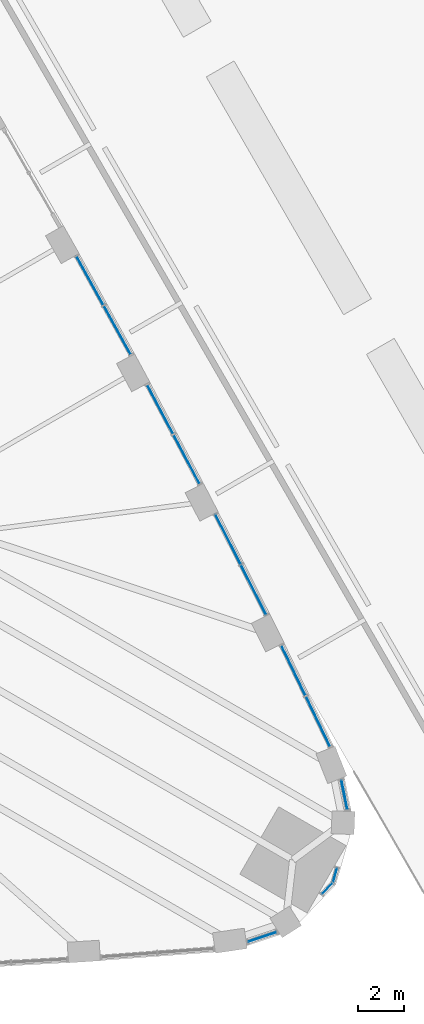
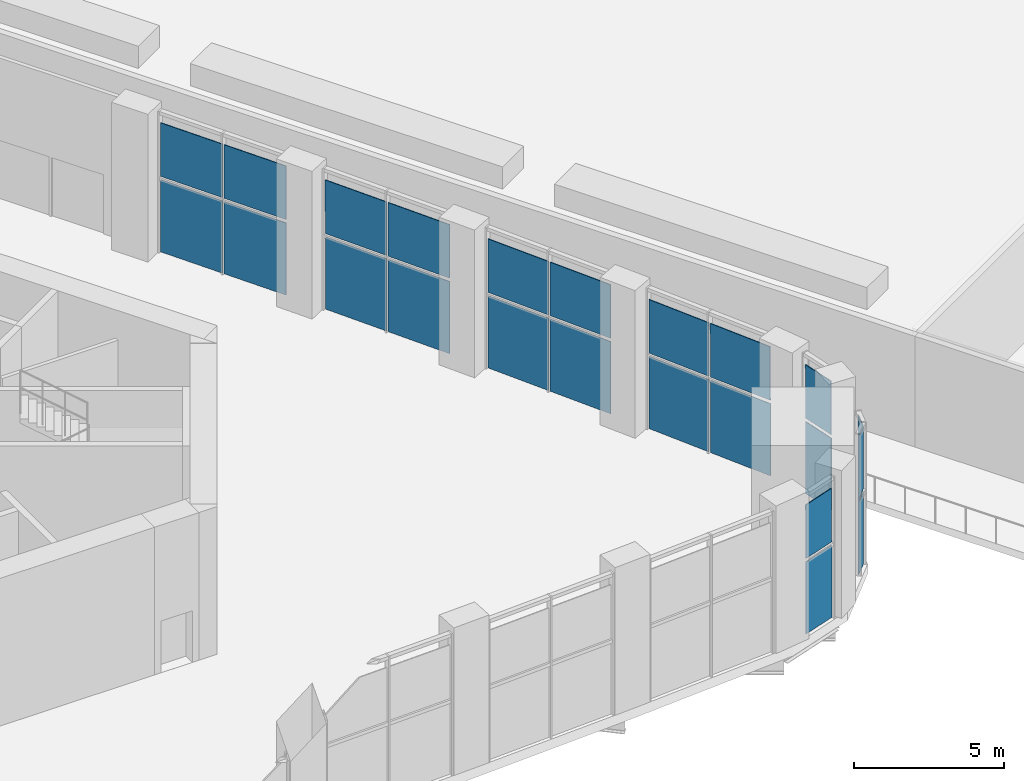
# One storey, part 19 of 41: 24 plates, 2 elements without a shape of their own.
"""IFC4 building model written with IfcOpenShell, lengths in metres."""

import ifcopenshell
import ifcopenshell.guid

model = None  # the IFC model being written
_history = None  # IfcOwnerHistory: only IFC2X3 demands one
_inside = {}  # id of a spatial element -> (the spatial element, [elements in it])
_under = {}  # id of a project, library or spatial element -> (it, [spatial elements below it])
_declared = {}  # id of a project -> (the project, [libraries it declares])
_typed = {}  # id of a type object -> (the type object, [elements of that type])
_made_of = {}  # id of a material, layer set ... -> (it, [elements and type objects made of it])


def new_model(schema):
    """Start an empty IFC model of exactly this schema.

    Asked for "IFC4X3", IfcOpenShell would pick the latest addendum, in which some entities
    have other attributes; the version numbers below select the first issue.
    IFC2X3 requires an IfcOwnerHistory on every rooted entity: one is made here for all.
    """
    global model, _history
    if schema == "IFC4X3":
        model = ifcopenshell.file(schema_version=(4, 3, 0, 0))
    else:
        model = ifcopenshell.file(schema=schema)
    _inside.clear()
    _under.clear()
    _declared.clear()
    _typed.clear()
    _made_of.clear()
    _history = None
    if model.schema == "IFC2X3":
        org = make("IfcOrganization", Name="unknown")
        user = make(
            "IfcPersonAndOrganization",
            ThePerson=make("IfcPerson", FamilyName="unknown"),
            TheOrganization=org,
        )
        app = make(
            "IfcApplication",
            ApplicationDeveloper=org,
            Version="unknown",
            ApplicationFullName="unknown",
            ApplicationIdentifier="unknown",
        )
        _history = make(
            "IfcOwnerHistory",
            OwningUser=user,
            OwningApplication=app,
            ChangeAction="ADDED",
            CreationDate=0,
        )
    return model


def make(cls, **values):
    """One entity of the class cls with the attributes given. An attribute that is None is left unset."""
    return model.create_entity(
        cls, **{name: value for name, value in values.items() if value is not None}
    )


def rooted(cls, **values):
    """An entity with a GlobalId (a new one), such as an element, a storey or a relation."""
    return make(cls, GlobalId=ifcopenshell.guid.new(), OwnerHistory=_history, **values)


def si_unit(unit_type, name, prefix=None):
    """IfcSIUnit, for example si_unit("LENGTHUNIT", "METRE", prefix="MILLI")."""
    return make("IfcSIUnit", UnitType=unit_type, Prefix=prefix, Name=name)


def assignment(units):
    """IfcUnitAssignment: the units of a project."""
    return None if units is None else make("IfcUnitAssignment", Units=units)


def point(xyz):
    """IfcCartesianPoint."""
    return None if xyz is None else make("IfcCartesianPoint", Coordinates=xyz)


def direction(xyz):
    """IfcDirection."""
    return None if xyz is None else make("IfcDirection", DirectionRatios=xyz)


def frame(location, z_axis=None, x_axis=None):
    """IfcAxis2Placement3D, a coordinate frame: its origin and axes. An axis left out is left unset."""
    return make(
        "IfcAxis2Placement3D",
        Location=point(location),
        Axis=direction(z_axis),
        RefDirection=direction(x_axis),
    )


def frame_2d(location, x_axis=None):
    """IfcAxis2Placement2D, a coordinate frame in the plane: its origin and x axis."""
    return make(
        "IfcAxis2Placement2D", Location=point(location), RefDirection=direction(x_axis)
    )


def origin():
    """The frame at (0, 0, 0) with its axes left unset."""
    return frame((0.0, 0.0, 0.0))


def origin_2d():
    """The frame at (0, 0) in the plane with its x axis left unset."""
    return frame_2d((0.0, 0.0))


def place(relative_to, where):
    """IfcLocalPlacement: puts the frame where relative to a parent placement (None: the world)."""
    return make(
        "IfcLocalPlacement", PlacementRelTo=relative_to, RelativePlacement=where
    )


def context(
    kind, dimensions, precision=None, world=None, true_north=None, identifier=None
):
    """IfcGeometricRepresentationContext, for example the 3D "Model" context."""
    return make(
        "IfcGeometricRepresentationContext",
        ContextIdentifier=identifier,
        ContextType=kind,
        CoordinateSpaceDimension=dimensions,
        Precision=precision,
        WorldCoordinateSystem=world,
        TrueNorth=true_north,
    )


def subcontext(parent, identifier, kind, view, scale=None):
    """IfcGeometricRepresentationSubContext, for example "Body" below "Model"."""
    return make(
        "IfcGeometricRepresentationSubContext",
        ContextIdentifier=identifier,
        ContextType=kind,
        ParentContext=parent,
        TargetScale=scale,
        TargetView=view,
    )


def project(units=None, contexts=None):
    """IfcProject with its units and contexts."""
    return rooted(
        "IfcProject",
        Name="project",
        RepresentationContexts=contexts,
        UnitsInContext=assignment(units),
    )


def spatial(cls, under=None, at=None, **own):
    """A site, building, storey or space (cls), placed at a placement, below another one or the project."""
    s = rooted(cls, ObjectPlacement=at, **own)
    if under is not None:
        _under.setdefault(under.id(), (under, []))[1].append(s)
    return s


def polyline(points):
    """IfcPolyline through the points."""
    return make("IfcPolyline", Points=[point(p) for p in points])


def profile(cls, at=None, kind="AREA", **sizes):
    """A parametric profile (cls). Its sizes go by their IFC names, for example OverallWidth=200.0."""
    return make(cls, ProfileType=kind, Position=at, **sizes)


def rectangle(**sizes):
    """IfcRectangleProfileDef."""
    return profile("IfcRectangleProfileDef", **sizes)


def outline(outer, holes=None, kind="AREA"):
    """IfcArbitraryClosedProfileDef: a profile drawn as a closed curve; with holes, ...WithVoids."""
    if holes is None:
        return make("IfcArbitraryClosedProfileDef", ProfileType=kind, OuterCurve=outer)
    return make(
        "IfcArbitraryProfileDefWithVoids",
        ProfileType=kind,
        OuterCurve=outer,
        InnerCurves=holes,
    )


def extrude(swept, where, along, depth):
    """IfcExtrudedAreaSolid: the profile swept, set in the frame where, extruded along a direction by depth."""
    return make(
        "IfcExtrudedAreaSolid",
        SweptArea=swept,
        Position=where,
        ExtrudedDirection=direction(along),
        Depth=depth,
    )


def shape(context_of_items, identifier, shape_type, items):
    """IfcShapeRepresentation: the items that make up one representation, for example the "Body"."""
    return make(
        "IfcShapeRepresentation",
        ContextOfItems=context_of_items,
        RepresentationIdentifier=identifier,
        RepresentationType=shape_type,
        Items=items,
    )


def material(Name=None, Category=None):
    """IfcMaterial."""
    return make("IfcMaterial", Name=Name, Category=Category)


def layer(
    of_material, thickness, ventilated=None, Name=None, Category=None, Priority=None
):
    """IfcMaterialLayer: one layer of a wall or slab, of a material (None: an air gap)."""
    return make(
        "IfcMaterialLayer",
        Material=of_material,
        LayerThickness=thickness,
        IsVentilated=ventilated,
        Name=Name,
        Category=Category,
        Priority=Priority,
    )


def layer_set(layers, Name=None):
    """IfcMaterialLayerSet."""
    return make("IfcMaterialLayerSet", MaterialLayers=layers, LayerSetName=Name)


def made_of(thing, what):
    """Note that an element or type object is made of a material, layer set ...; save() writes the relation."""
    if what is not None:
        _made_of.setdefault(what.id(), (what, []))[1].append(thing)
    return thing


def type_object(cls, material=None, **own):
    """A type object (cls), such as IfcWallType, which elements share."""
    return made_of(rooted(cls, **own), material)


def element(
    cls,
    number,
    at=None,
    inside=None,
    cuts=None,
    type_object=None,
    material=None,
    context=None,
    identifier="Body",
    shape_type=None,
    held_by="IfcProductDefinitionShape",
    body=None,
    shapes=None,
    **own,
):
    """One element of the class cls, such as IfcWall. Its Tag is "e" and its number.

    at: its placement. inside: the storey or other place that contains it. cuts: it is an
    opening in that element (IfcRelVoidsElement). A single representation is given by context,
    identifier, shape_type and body (its items); several are given by shapes. held_by: the class
    of the entity that holds the representations. save() writes the other relations.
    """
    e = rooted(cls, Tag="e%d" % number, ObjectPlacement=at, **own)
    if body is not None:
        shapes = [shape(context, identifier, shape_type, body)]
    if shapes is not None:
        e.Representation = make(held_by, Representations=shapes)
    if inside is not None:
        _inside.setdefault(inside.id(), (inside, []))[1].append(e)
    if cuts is not None:
        rooted(
            "IfcRelVoidsElement", RelatingBuildingElement=cuts, RelatedOpeningElement=e
        )
    if type_object is not None:
        _typed.setdefault(type_object.id(), (type_object, []))[1].append(e)
    return made_of(e, material)


def aggregate(whole, parts):
    """IfcRelAggregates: a whole, such as a stair, and the parts it consists of."""
    return rooted("IfcRelAggregates", RelatingObject=whole, RelatedObjects=parts)


def save(model, path):
    """Write the relations noted so far, then the file.

    IfcRelAggregates (storeys below a building ...), IfcRelContainedInSpatialStructure (elements
    in a storey), IfcRelDefinesByType, IfcRelAssociatesMaterial and IfcRelDeclares: one each for
    every whole, place, type object, material and project.
    """
    for whole, parts in _under.values():
        aggregate(whole, parts)
    for where, things in _inside.values():
        rooted(
            "IfcRelContainedInSpatialStructure",
            RelatedElements=things,
            RelatingStructure=where,
        )
    for kind, things in _typed.values():
        rooted("IfcRelDefinesByType", RelatedObjects=things, RelatingType=kind)
    for what, things in _made_of.values():
        rooted("IfcRelAssociatesMaterial", RelatedObjects=things, RelatingMaterial=what)
    for by, libraries in _declared.values():
        rooted("IfcRelDeclares", RelatingContext=by, RelatedDefinitions=libraries)
    model.write(path)


model = new_model("IFC4")

# Units and contexts
model_context = context("Model", 3, precision=1e-05, world=origin(), true_north=direction((0.0, 1.0)))
body_context = subcontext(model_context, "Body", "Model", "MODEL_VIEW")
ifc_project = project(units=[si_unit("LENGTHUNIT", "METRE"), si_unit("AREAUNIT", "SQUARE_METRE"), si_unit("VOLUMEUNIT", "CUBIC_METRE"), si_unit("PLANEANGLEUNIT", "RADIAN"), si_unit("MASSUNIT", "GRAM", prefix="KILO")], contexts=[model_context])

# Site, building, storey
site_placement = place(None, origin())
site = spatial("IfcSite", under=ifc_project, at=site_placement, CompositionType="ELEMENT")
building_placement = place(site_placement, origin())
building = spatial("IfcBuilding", under=site, at=building_placement, Name="Mestral Congress Tower", CompositionType="ELEMENT")
storey_placement = place(building_placement, frame((0.0, 0.0, 21.60009765625)))
storey = spatial("IfcBuildingStorey", under=building, at=storey_placement, Name="L04", CompositionType="ELEMENT", Elevation=21.60009765625)

# Curtain wall, plates
ifc_material = material(Name="Clear low-emissivity double glazing", Category="glass")
curtain_wall_type = type_object("IfcCurtainWallType", Name="Facade arrival lobby curtain wall", PredefinedType="USERDEFINED", material=ifc_material)
placement = place(storey_placement, origin())
curtain_wall_1 = element("IfcCurtainWall", 1, at=placement, inside=storey, type_object=curtain_wall_type, Name="Facade arrival lobby curtain wall face 2", ObjectType="CURTAIN WALL", PredefinedType="USERDEFINED")
ifc_layer = layer(ifc_material, 0.030029296875)
ifc_layer_set = layer_set([ifc_layer], Name="Clear low-emissivity double glazing")
plate_type = type_object("IfcPlateType", Name="Facade arrival lobby curtain wall panel", PredefinedType="CURTAIN_PANEL", material=ifc_layer_set)
plate_1_placement = place(storey_placement, frame((32.62109375, -12.152099609375, 0.0), z_axis=(0.0, 0.0, 1.0), x_axis=(-0.434657467366, 0.90059585057, 0.0)))
plate_1 = element("IfcPlate", 2, at=plate_1_placement, type_object=plate_type, Name="Arrival lobby glass unit", PredefinedType="CURTAIN_PANEL", context=body_context, shape_type="SweptSolid", body=[
    extrude(rectangle(XDim=2.412841796875, YDim=0.030029296875, at=origin_2d()), origin(), (0.0, 0.0, 1.0), 2.929931640625),
])
plate_2_placement = place(storey_placement, frame((32.10986328125, -11.05908203125, 3.06982421875), z_axis=(0.900590801011, 0.434663305375, 0.002005017292), x_axis=(0.434664179072, -0.900592611247, 0.0)))
plate_2 = element("IfcPlate", 3, at=plate_2_placement, type_object=plate_type, Name="Arrival lobby glass unit", PredefinedType="CURTAIN_PANEL", context=body_context, shape_type="SweptSolid", body=[
    extrude(outline(polyline([(0.0, 0.0), (2.412961949706492, 2.168404344971009e-19), (2.413023012700835, -2.1779828934777514), (6.106299434298509e-05, -2.1779828934777514), (0.0, 0.0)])), origin(), (0.0, 0.0, -1.0), 0.030029296875),
])
plate_3_placement = place(storey_placement, frame((31.54638671875, -9.925048828125, 0.0), z_axis=(0.0, 0.0, 1.0), x_axis=(-0.434657467366, 0.90059585057, 0.0)))
plate_3 = element("IfcPlate", 4, at=plate_3_placement, type_object=plate_type, Name="Arrival lobby glass unit", PredefinedType="CURTAIN_PANEL", context=body_context, shape_type="SweptSolid", body=[
    extrude(rectangle(XDim=2.412841796875, YDim=0.030029296875, at=origin_2d()), origin(), (0.0, 0.0, 1.0), 2.929931640625),
])
plate_4_placement = place(storey_placement, frame((31.03515625, -8.83203125, 3.06982421875), z_axis=(0.900630405926, 0.434581237328, 0.002005014729), x_axis=(0.434582110857, -0.900632216237, 0.0)))
plate_4 = element("IfcPlate", 5, at=plate_4_placement, type_object=plate_type, Name="Arrival lobby glass unit", PredefinedType="CURTAIN_PANEL", context=body_context, shape_type="SweptSolid", body=[
    extrude(outline(polyline([(0.0, 0.0), (2.4128558405400207, 0.0), (2.4129173014668233, -2.1779828934665586), (6.146092680281369e-05, -2.1779828934665586), (0.0, 0.0)])), origin(), (0.0, 0.0, -1.0), 0.030029296875),
])
plate_5_placement = place(storey_placement, frame((29.802001953125, -6.394287109375, 0.0), z_axis=(0.0, 0.0, 1.0), x_axis=(-0.451217120684, 0.89241420316, 0.0)))
plate_5 = element("IfcPlate", 6, at=plate_5_placement, type_object=plate_type, Name="Arrival lobby glass unit", PredefinedType="CURTAIN_PANEL", context=body_context, shape_type="SweptSolid", body=[
    extrude(rectangle(XDim=2.4091796875, YDim=0.030029296875, at=origin_2d()), origin(), (0.0, 0.0, 1.0), 2.929931640625),
])
plate_6_placement = place(storey_placement, frame((29.271484375, -5.312744140625, 3.06982421875), z_axis=(0.892430239132, 0.451180947606, 0.002005193522), x_axis=(0.451181854663, -0.892432033279, 0.0)))
plate_6 = element("IfcPlate", 7, at=plate_6_placement, type_object=plate_type, Name="Arrival lobby glass unit", PredefinedType="CURTAIN_PANEL", context=body_context, shape_type="SweptSolid", body=[
    extrude(outline(polyline([(0.0, 0.0), (2.409037622562586, 0.0), (2.4090182247578085, -2.177982894247365), (-1.939780477741072e-05, -2.177982894247365), (0.0, 0.0)])), origin(), (0.0, 0.0, -1.0), 0.030029296875),
])
plate_7_placement = place(storey_placement, frame((28.687744140625, -4.19091796875, 0.0), z_axis=(0.0, 0.0, 1.0), x_axis=(-0.451217120684, 0.89241420316, 0.0)))
plate_7 = element("IfcPlate", 8, at=plate_7_placement, type_object=plate_type, Name="Arrival lobby glass unit", PredefinedType="CURTAIN_PANEL", context=body_context, shape_type="SweptSolid", body=[
    extrude(rectangle(XDim=2.4091796875, YDim=0.030029296875, at=origin_2d()), origin(), (0.0, 0.0, 1.0), 2.929931640625),
])
plate_8_placement = place(storey_placement, frame((28.157470703125, -3.109375, 3.06982421875), z_axis=(0.892430239132, 0.451180947606, 0.002005193522), x_axis=(0.451181854663, -0.892432033279, 0.0)))
plate_8 = element("IfcPlate", 9, at=plate_8_placement, type_object=plate_type, Name="Arrival lobby glass unit", PredefinedType="CURTAIN_PANEL", context=body_context, shape_type="SweptSolid", body=[
    extrude(outline(polyline([(0.0, 0.0), (2.409037622562586, 0.0), (2.4090182247578085, -2.177982894247365), (-1.939780477741072e-05, -2.177982894247365), (0.0, 0.0)])), origin(), (0.0, 0.0, -1.0), 0.030029296875),
])
plate_9_placement = place(storey_placement, frame((26.87939453125, -0.694580078125, 0.0), z_axis=(0.0, 0.0, 1.0), x_axis=(-0.467650605293, 0.883913407167, 0.0)))
plate_9 = element("IfcPlate", 10, at=plate_9_placement, type_object=plate_type, Name="Arrival lobby glass unit", PredefinedType="CURTAIN_PANEL", context=body_context, shape_type="SweptSolid", body=[
    extrude(rectangle(XDim=2.4091796875, YDim=0.030029296875, at=origin_2d()), origin(), (0.0, 0.0, 1.0), 2.929931640625),
])
plate_10_placement = place(storey_placement, frame((26.3291015625, 0.376708984375, 3.06982421875), z_axis=(0.883934005724, 0.467607372439, 0.002004685918), x_axis=(0.467608312044, -0.883935781891, 0.0)))
plate_10 = element("IfcPlate", 11, at=plate_10_placement, type_object=plate_type, Name="Arrival lobby glass unit", PredefinedType="CURTAIN_PANEL", context=body_context, shape_type="SweptSolid", body=[
    extrude(outline(polyline([(0.0, 0.0), (2.4089923440978636, 0.0), (2.408892186202949, -2.17798289203079), (-0.00010015789491482914, -2.17798289203079), (0.0, 0.0)])), origin(), (0.0, 0.0, -1.0), 0.030029296875),
])
plate_11_placement = place(storey_placement, frame((25.724609375, 1.48779296875, 0.0), z_axis=(0.0, 0.0, 1.0), x_axis=(-0.467650605293, 0.883913407167, 0.0)))
plate_11 = element("IfcPlate", 12, at=plate_11_placement, type_object=plate_type, Name="Arrival lobby glass unit", PredefinedType="CURTAIN_PANEL", context=body_context, shape_type="SweptSolid", body=[
    extrude(rectangle(XDim=2.4091796875, YDim=0.030029296875, at=origin_2d()), origin(), (0.0, 0.0, 1.0), 2.929931640625),
])
plate_12_placement = place(storey_placement, frame((25.17431640625, 2.559326171875, 3.06982421875), z_axis=(0.883924182446, 0.467626040688, 0.001981352558), x_axis=(0.46762695851, -0.883925917526, 4.1797e-08)))
plate_12 = element("IfcPlate", 13, at=plate_12_placement, type_object=plate_type, Name="Arrival lobby glass unit", PredefinedType="CURTAIN_PANEL", context=body_context, shape_type="SweptSolid", body=[
    extrude(outline(polyline([(0.0, 0.0), (2.408992343561865, -4.336808689942018e-19), (2.409222153558807, -2.177982690048365), (-0.0001001589669342812, -2.177982891437891), (0.0, 0.0)])), origin(), (0.0, 0.0, -1.0), 0.030029296875),
])
plate_13_placement = place(storey_placement, frame((23.851806640625, 4.94970703125, 0.0), z_axis=(0.0, 0.0, 1.0), x_axis=(-0.483905674001, 0.875120162417, 0.0)))
plate_13 = element("IfcPlate", 14, at=plate_13_placement, type_object=plate_type, Name="Arrival lobby glass unit", PredefinedType="CURTAIN_PANEL", context=body_context, shape_type="SweptSolid", body=[
    extrude(rectangle(XDim=2.4091796875, YDim=0.030029296875, at=origin_2d()), origin(), (0.0, 0.0, 1.0), 2.929931640625),
])
plate_14_placement = place(storey_placement, frame((23.28173828125, 6.010986328125, 3.06982421875), z_axis=(0.875109811652, 0.483920017445, 0.002057733118), x_axis=(0.483921041971, -0.875111664382, 0.0)))
plate_14 = element("IfcPlate", 15, at=plate_14_placement, type_object=plate_type, Name="Arrival lobby glass unit", PredefinedType="CURTAIN_PANEL", context=body_context, shape_type="SweptSolid", body=[
    extrude(outline(polyline([(0.0, 0.0), (2.409011766931498, 4.336808689942018e-19), (2.40904430313948, -2.177983126709379), (3.253620798186318e-05, -2.177983126709379), (0.0, 0.0)])), origin(), (0.0, 0.0, -1.0), 0.030029296875),
])
plate_15_placement = place(storey_placement, frame((22.656982421875, 7.110595703125, 0.0), z_axis=(0.0, 0.0, 1.0), x_axis=(-0.483905674001, 0.875120162417, 0.0)))
plate_15 = element("IfcPlate", 16, at=plate_15_placement, type_object=plate_type, Name="Arrival lobby glass unit", PredefinedType="CURTAIN_PANEL", context=body_context, shape_type="SweptSolid", body=[
    extrude(rectangle(XDim=2.4091796875, YDim=0.030029296875, at=origin_2d()), origin(), (0.0, 0.0, 1.0), 2.929931640625),
])
plate_16_placement = place(storey_placement, frame((22.0869140625, 8.171875, 3.06982421875), z_axis=(0.87513354131, 0.483877102797, 0.002057732383), x_axis=(0.483878127232, -0.875135394089, 0.0)))
plate_16 = element("IfcPlate", 17, at=plate_16_placement, type_object=plate_type, Name="Arrival lobby glass unit", PredefinedType="CURTAIN_PANEL", context=body_context, shape_type="SweptSolid", body=[
    extrude(outline(polyline([(0.0, 0.0), (2.409225420137006, 0.0), (2.409258176121159, -2.1779831267060845), (3.275598415283606e-05, -2.1779831267060845), (0.0, 0.0)])), origin(), (0.0, 0.0, -1.0), 0.030029296875),
])
aggregate(curtain_wall_1, [plate_1, plate_2, plate_3, plate_4, plate_5, plate_6, plate_7, plate_8, plate_9, plate_10, plate_11, plate_12, plate_13, plate_14, plate_15, plate_16])

curtain_wall_2 = element("IfcCurtainWall", 18, at=placement, inside=storey, type_object=curtain_wall_type, Name="Facade arrival lobby curtain wall corner 1", ObjectType="CURTAIN WALL", PredefinedType="USERDEFINED")
plate_17_placement = place(storey_placement, frame((30.180908203125, -21.572021484375, 0.0), z_axis=(0.0, 0.0, 1.0), x_axis=(0.947904712165, 0.318554009007, 0.0)))
plate_17 = element("IfcPlate", 19, at=plate_17_placement, type_object=plate_type, Name="Arrival lobby glass unit", PredefinedType="CURTAIN_PANEL", context=body_context, shape_type="SweptSolid", body=[
    extrude(rectangle(XDim=1.294921875, YDim=0.030029296875, at=origin_2d()), origin(), (0.0, 0.0, 1.0), 2.929931640625),
])
plate_18_placement = place(storey_placement, frame((30.799072265625, -21.379638671875, 3.06982421875), z_axis=(0.318658444336, -0.94786745543, 0.002020591571), x_axis=(-0.947869390408, -0.318659094846, 0.0)))
plate_18 = element("IfcPlate", 20, at=plate_18_placement, type_object=plate_type, Name="Arrival lobby glass unit", PredefinedType="CURTAIN_PANEL", context=body_context, shape_type="SweptSolid", body=[
    extrude(outline(polyline([(0.0, 0.0), (1.294793285124369, -1.0842021724855044e-19), (1.294859205956906, -2.1779829617533912), (6.592083253672458e-05, -2.1779829617533912), (0.0, 0.0)])), origin(), (0.0, 0.0, -1.0), 0.030029296875),
])
plate_19_placement = place(storey_placement, frame((33.023193359375, -19.452880859375, 0.0), z_axis=(0.0, 0.0, 1.0), x_axis=(0.692251501068, 0.721656330444, 0.0)))
plate_19 = element("IfcPlate", 21, at=plate_19_placement, type_object=plate_type, Name="Arrival lobby glass unit", PredefinedType="CURTAIN_PANEL", context=body_context, shape_type="SweptSolid", body=[
    extrude(rectangle(XDim=0.643798828125, YDim=0.030029296875, at=origin_2d()), origin(), (0.0, 0.0, 1.0), 2.929931640625),
])
plate_20_placement = place(storey_placement, frame((33.023193359375, -19.452880859375, 3.06982421875), z_axis=(0.0, 0.0, 1.0), x_axis=(0.692251501068, 0.721656330444, 0.0)))
plate_20 = element("IfcPlate", 22, at=plate_20_placement, type_object=plate_type, Name="Arrival lobby glass unit", PredefinedType="CURTAIN_PANEL", context=body_context, shape_type="SweptSolid", body=[
    extrude(rectangle(XDim=0.643798828125, YDim=0.030029296875, at=origin_2d()), origin(), (0.0, 0.0, 1.0), 2.5400390625),
])
plate_21_placement = place(storey_placement, frame((33.36181640625, -18.86669921875, 0.0), z_axis=(0.0, 0.0, 1.0), x_axis=(0.274430859749, 0.961606834012, 0.0)))
plate_21 = element("IfcPlate", 23, at=plate_21_placement, type_object=plate_type, Name="Arrival lobby glass unit", PredefinedType="CURTAIN_PANEL", context=body_context, shape_type="SweptSolid", body=[
    extrude(rectangle(XDim=0.631103515625, YDim=0.030029296875, at=origin_2d()), origin(), (0.0, 0.0, 1.0), 2.929931640625),
])
plate_22_placement = place(storey_placement, frame((33.36181640625, -18.86669921875, 3.06982421875), z_axis=(0.0, 0.0, 1.0), x_axis=(0.274430859749, 0.961606834012, 0.0)))
plate_22 = element("IfcPlate", 24, at=plate_22_placement, type_object=plate_type, Name="Arrival lobby glass unit", PredefinedType="CURTAIN_PANEL", context=body_context, shape_type="SweptSolid", body=[
    extrude(rectangle(XDim=0.631103515625, YDim=0.030029296875, at=origin_2d()), origin(), (0.0, 0.0, 1.0), 2.5400390625),
])
plate_23_placement = place(storey_placement, frame((33.7724609375, -15.351318359375, 0.0), z_axis=(0.0, 0.0, 1.0), x_axis=(-0.198078202553, 0.980186219896, 0.0)))
plate_23 = element("IfcPlate", 25, at=plate_23_placement, type_object=plate_type, Name="Arrival lobby glass unit", PredefinedType="CURTAIN_PANEL", context=body_context, shape_type="SweptSolid", body=[
    extrude(rectangle(XDim=1.294921875, YDim=0.030029296875, at=origin_2d()), origin(), (0.0, 0.0, 1.0), 2.929931640625),
])
plate_24_placement = place(storey_placement, frame((33.658447265625, -14.7138671875, 3.06982421875), z_axis=(0.980203557571, 0.197982828787, 0.001945566683), x_axis=(0.197983203563, -0.980205412711, -3.6318e-08)))
plate_24 = element("IfcPlate", 26, at=plate_24_placement, type_object=plate_type, Name="Arrival lobby glass unit", PredefinedType="CURTAIN_PANEL", context=body_context, shape_type="SweptSolid", body=[
    extrude(outline(polyline([(0.0, 0.0), (1.2946753171411736, 0.0), (1.29481076225756, -2.17798268473633), (-0.00010386284570096702, -2.1779825906872277), (0.0, 0.0)])), origin(), (0.0, 0.0, -1.0), 0.030029296875),
])
aggregate(curtain_wall_2, [plate_17, plate_18, plate_19, plate_20, plate_21, plate_22, plate_23, plate_24])

save(model, "model.ifc")
